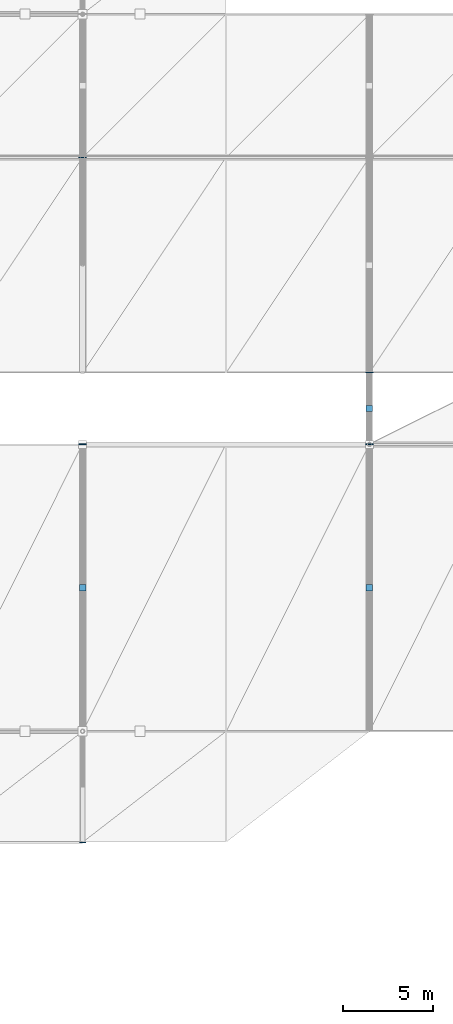
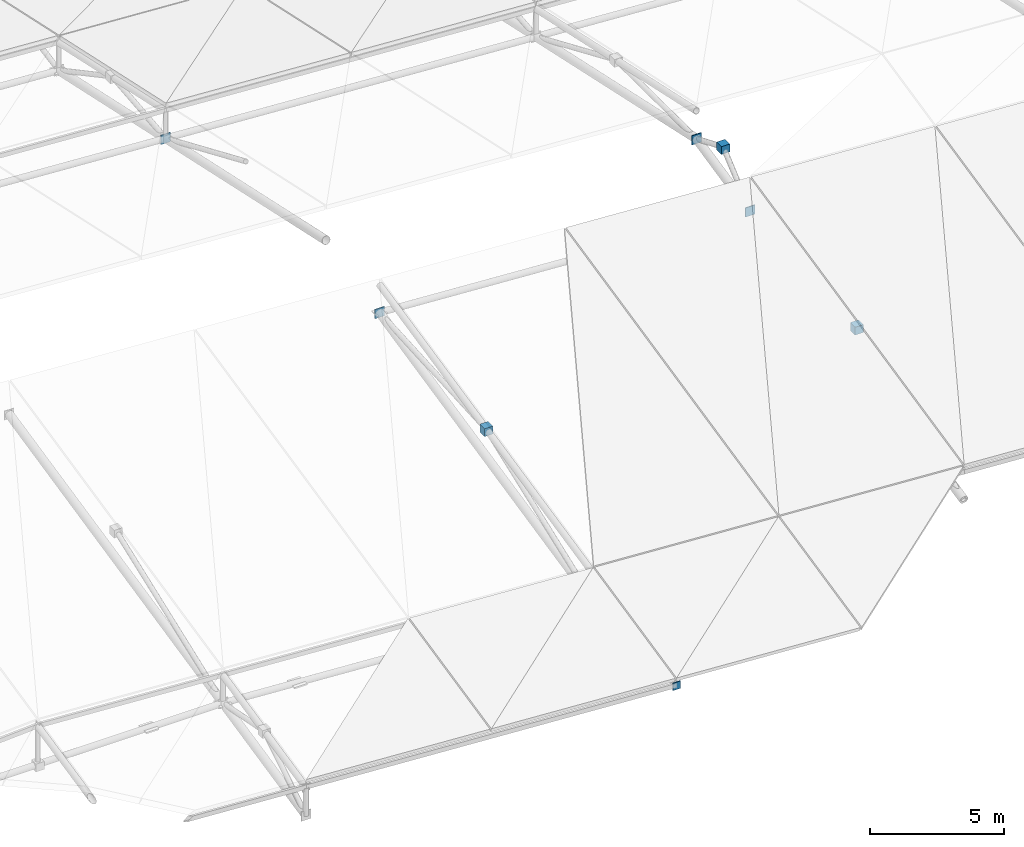
# One storey, part 60 of 67: 8 discrete accessories.
"""IFC4 building model written with IfcOpenShell, lengths in metres."""

from ifc_helpers import new_model, si_unit, direction, frame, origin, origin_2d, place, context, subcontext, project, spatial, rectangle, extrude, material, type_object, element, save


model = new_model("IFC4")

# Units and contexts
model_context = context("Model", 3, precision=1e-05, world=origin(), true_north=direction((0.0, 1.0)))
body_context = subcontext(model_context, "Body", "Model", "MODEL_VIEW")
ifc_project = project(units=[si_unit("LENGTHUNIT", "METRE"), si_unit("AREAUNIT", "SQUARE_METRE"), si_unit("VOLUMEUNIT", "CUBIC_METRE"), si_unit("PLANEANGLEUNIT", "RADIAN"), si_unit("MASSUNIT", "GRAM", prefix="KILO")], contexts=[model_context])

# Site, building, storey
site_placement = place(None, origin())
site = spatial("IfcSite", under=ifc_project, at=site_placement, CompositionType="ELEMENT")
building_placement = place(site_placement, origin())
building = spatial("IfcBuilding", under=site, at=building_placement, Name="Drelvath Fold Interchange", CompositionType="ELEMENT")
storey_placement = place(building_placement, frame((0.0, 0.0, 15.60009765625)))
storey = spatial("IfcBuildingStorey", under=building, at=storey_placement, Name="L03", CompositionType="ELEMENT", Elevation=15.60009765625)

# Discrete accessories
ifc_material = material(Name="Steel ASTM A572 Grade 50", Category="steel")
discrete_accessory_type = type_object("IfcDiscreteAccessoryType", Name="AC-CAP380", PredefinedType="BRACKET", material=ifc_material)
discrete_accessory_1_placement = place(storey_placement, frame((134.0, 20.794921875, -0.07470703125), z_axis=(0.0, 0.0, 1.0), x_axis=(1.0, 0.0, 0.0)))
element("IfcDiscreteAccessory", 1, at=discrete_accessory_1_placement, inside=storey, type_object=discrete_accessory_type, Name="Welded hollow member end cap 216", PredefinedType="BRACKET", context=body_context, shape_type="SweptSolid", body=[
    extrude(rectangle(XDim=0.3330078125, YDim=0.0400390625, at=origin_2d()), origin(), (0.0, 0.0, 1.0), 0.3330078125),
])
discrete_accessory_2_placement = place(storey_placement, frame((134.0, 43.0048828125, 3.455810546875), z_axis=(0.0, 0.0, 1.0), x_axis=(1.0, 0.0, 0.0)))
element("IfcDiscreteAccessory", 2, at=discrete_accessory_2_placement, inside=storey, type_object=discrete_accessory_type, Name="Welded hollow member end cap 218", PredefinedType="BRACKET", context=body_context, shape_type="SweptSolid", body=[
    extrude(rectangle(XDim=0.416015625, YDim=0.0400390625, at=origin_2d()), origin(), (0.0, 0.0, 1.0), 0.416015625),
])
discrete_accessory_3_placement = place(storey_placement, frame((134.0, 35.0048828125, 3.011474609375), z_axis=(0.0, 0.0, 1.0), x_axis=(1.0, 0.0, 0.0)))
element("IfcDiscreteAccessory", 3, at=discrete_accessory_3_placement, inside=storey, type_object=discrete_accessory_type, Name="Welded hollow member end cap 219", PredefinedType="BRACKET", context=body_context, shape_type="SweptSolid", body=[
    extrude(rectangle(XDim=0.35888671875, YDim=0.35888671875, at=origin_2d()), origin(), (0.0, 0.0, 1.0), 0.35888671875),
])
for number, where, z_axis, x_axis, name in (
    (4, (134.0, 59.0048828125, 1.7099609375), (0.0, 0.0, 1.0), (1.0, 0.0, 0.0), "Welded hollow member end cap 223"),
    (5, (150.0, 43.0048828125, 2.492919921875), (0.0, 0.0, 1.0), (1.0, 0.0, 0.0), "Welded hollow member end cap 234"),
):
    element("IfcDiscreteAccessory", number, at=place(storey_placement, frame(where, z_axis=z_axis, x_axis=x_axis)), inside=storey, type_object=discrete_accessory_type, Name=name, PredefinedType="BRACKET", context=body_context, shape_type="SweptSolid", body=[
        extrude(rectangle(XDim=0.416015625, YDim=0.0400390625, at=origin_2d()), origin(), (0.0, 0.0, 1.0), 0.416015625),
    ])
discrete_accessory_4_placement = place(storey_placement, frame((150.0, 35.0048828125, 2.04833984375), z_axis=(0.0, 0.0, 1.0), x_axis=(1.0, 0.0, 0.0)))
element("IfcDiscreteAccessory", 6, at=discrete_accessory_4_placement, inside=storey, type_object=discrete_accessory_type, Name="Welded hollow member end cap 235", PredefinedType="BRACKET", context=body_context, shape_type="SweptSolid", body=[
    extrude(rectangle(XDim=0.35888671875, YDim=0.35888671875, at=origin_2d()), origin(), (0.0, 0.0, 1.0), 0.35888671875),
])
discrete_accessory_5_placement = place(storey_placement, frame((150.0, 47.0048828125, 3.364990234375), z_axis=(0.0, 0.0, 1.0), x_axis=(1.0, 0.0, 0.0)))
element("IfcDiscreteAccessory", 7, at=discrete_accessory_5_placement, inside=storey, type_object=discrete_accessory_type, Name="Welded hollow member end cap 236", PredefinedType="BRACKET", context=body_context, shape_type="SweptSolid", body=[
    extrude(rectangle(XDim=0.416015625, YDim=0.0400390625, at=origin_2d()), origin(), (0.0, 0.0, 1.0), 0.416015625),
])
discrete_accessory_6_placement = place(storey_placement, frame((150.0, 45.00390625, 4.2294921875), z_axis=(0.0, 0.0, 1.0), x_axis=(1.0, 0.0, 0.0)))
element("IfcDiscreteAccessory", 8, at=discrete_accessory_6_placement, inside=storey, type_object=discrete_accessory_type, Name="Welded hollow member end cap 238", PredefinedType="BRACKET", context=body_context, shape_type="SweptSolid", body=[
    extrude(rectangle(XDim=0.35888671875, YDim=0.35888671875, at=origin_2d()), origin(), (0.0, 0.0, 1.0), 0.35888671875),
])

save(model, "model.ifc")
